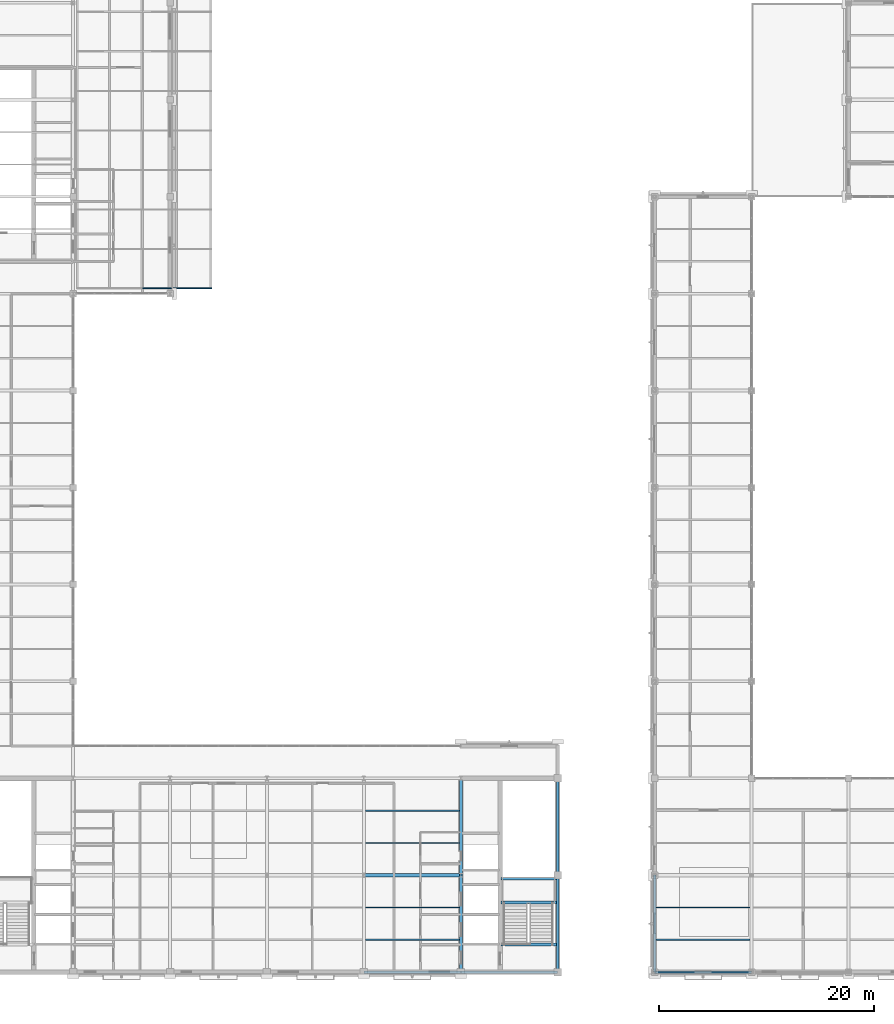
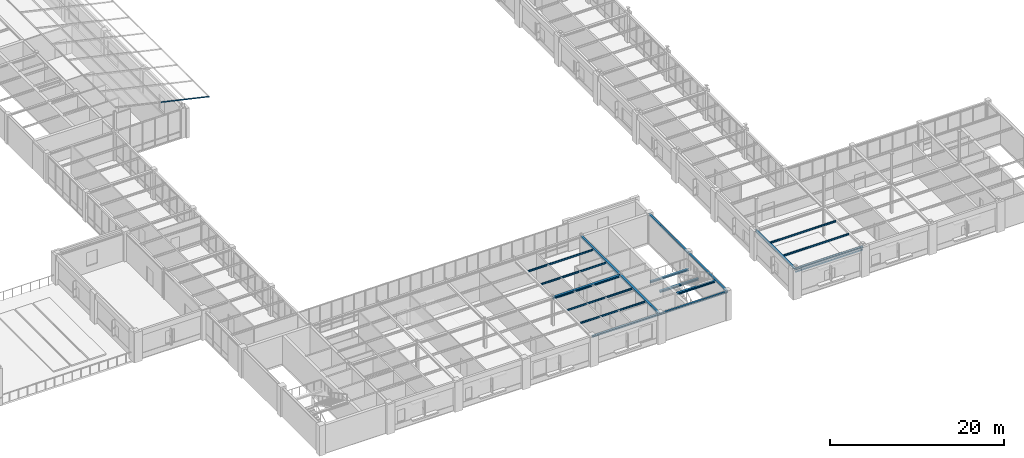
# One storey, part 37 of 97: 18 beams, 2 members, 1 element without a shape of its own.
"""IFC4 building model written with IfcOpenShell, lengths in metres."""

from ifc_helpers import new_model, si_unit, direction, frame, origin, origin_2d, place, context, subcontext, project, spatial, hollow_rectangle, i_section, extrude, material, material_profile, profile_set, type_object, element, aggregate, save


model = new_model("IFC4")

# Units and contexts
model_context = context("Model", 3, precision=1e-05, world=origin(), true_north=direction((0.0, 1.0)))
body_context = subcontext(model_context, "Body", "Model", "MODEL_VIEW")
ifc_project = project(units=[si_unit("LENGTHUNIT", "METRE"), si_unit("AREAUNIT", "SQUARE_METRE"), si_unit("VOLUMEUNIT", "CUBIC_METRE"), si_unit("PLANEANGLEUNIT", "RADIAN"), si_unit("MASSUNIT", "GRAM", prefix="KILO")], contexts=[model_context])

# Site, building, storey
site_placement = place(None, origin())
site = spatial("IfcSite", under=ifc_project, at=site_placement, CompositionType="ELEMENT")
building_placement = place(site_placement, origin())
building = spatial("IfcBuilding", under=site, at=building_placement, Name="Lykobir Media Centre", CompositionType="ELEMENT")
storey_placement = place(building_placement, frame((0.0, 0.0, 23.39990234375)))
storey = spatial("IfcBuildingStorey", under=building, at=storey_placement, Name="L05", CompositionType="ELEMENT", Elevation=23.39990234375)

# Beams
ifc_material_1 = material(Name="Steel S355", Category="steel")
ifc_material_profile_1 = material_profile(ifc_material_1, i_section(OverallWidth=0.280029296875, OverallDepth=0.27001953125, WebThickness=0.008056640625, FlangeThickness=0.012939453125, at=origin_2d()), Name="HEA 280")
ifc_profile_set_1 = profile_set([ifc_material_profile_1], Name="Steel S355")
beam_type_1 = type_object("IfcBeamType", Name="BM-HEA280", PredefinedType="BEAM", material=ifc_profile_set_1)
for number, where, z_axis, x_axis, name in (
    (1, (72.0, 0.0, 3.8251953125), (0.0, 1.0, 0.0), (-1.0, 0.0, 0.0), "Beam BM-L05-0720-0000-0720-0090-2722"),
    (2, (72.0, 9.0, 3.8251953125), (0.0, 1.0, 0.0), (-1.0, 0.0, 0.0), "Beam BM-L05-0720-0090-0720-0180-2722"),
):
    element("IfcBeam", number, at=place(storey_placement, frame(where, z_axis=z_axis, x_axis=x_axis)), inside=storey, type_object=beam_type_1, Name=name, PredefinedType="BEAM", context=body_context, shape_type="SweptSolid", body=[
        extrude(i_section(OverallWidth=0.280029296875, OverallDepth=0.27001953125, WebThickness=0.008056640625, FlangeThickness=0.012939453125, at=origin_2d()), origin(), (0.0, 0.0, 1.0), 9.0),
    ])
ifc_material_profile_2 = material_profile(ifc_material_1, i_section(OverallWidth=0.300048828125, OverallDepth=0.2900390625, WebThickness=0.008544921875, FlangeThickness=0.013916015625, at=origin_2d()), Name="HEA 300")
ifc_profile_set_2 = profile_set([ifc_material_profile_2], Name="Steel S355")
beam_type_2 = type_object("IfcBeamType", Name="BM-HEA300", PredefinedType="BEAM", material=ifc_profile_set_2)
beam_1_placement = place(storey_placement, frame((63.0, 9.0, 3.815185546875), z_axis=(1.0, 0.0, 0.0), x_axis=(0.0, 1.0, 0.0)))
element("IfcBeam", 3, at=beam_1_placement, inside=storey, type_object=beam_type_2, Name="Beam BM-L05-0630-0090-0720-0090-2722", PredefinedType="BEAM", context=body_context, shape_type="SweptSolid", body=[
    extrude(i_section(OverallWidth=0.300048828125, OverallDepth=0.2900390625, WebThickness=0.008544921875, FlangeThickness=0.013916015625, at=origin_2d()), origin(), (0.0, 0.0, 1.0), 9.0),
])
ifc_material_profile_3 = material_profile(ifc_material_1, i_section(OverallWidth=0.260009765625, OverallDepth=0.25, WebThickness=0.007568359375, FlangeThickness=0.012451171875, at=origin_2d()), Name="HEA 260")
ifc_profile_set_3 = profile_set([ifc_material_profile_3], Name="Steel S355")
beam_type_3 = type_object("IfcBeamType", Name="BM-ST260", PredefinedType="BEAM", material=ifc_profile_set_3)
beam_2_placement = place(storey_placement, frame((75.72998046875, 8.679931640625, 1.780029296875), z_axis=(1.0, 0.0, 0.0), x_axis=(0.0, 1.0, 0.0)))
element("IfcBeam", 4, at=beam_2_placement, inside=storey, type_object=beam_type_3, Name="ST-2 L05 half-landing support beam", PredefinedType="BEAM", context=body_context, shape_type="SweptSolid", body=[
    extrude(i_section(OverallWidth=0.260009765625, OverallDepth=0.25, WebThickness=0.007568359375, FlangeThickness=0.012451171875, at=origin_2d()), origin(), (0.0, 0.0, 1.0), 5.14013671875),
])
ifc_material_profile_4 = material_profile(ifc_material_1, i_section(OverallWidth=0.280029296875, OverallDepth=0.27001953125, WebThickness=0.008056640625, FlangeThickness=0.012939453125, at=origin_2d()), Name="HEA 280")
ifc_profile_set_4 = profile_set([ifc_material_profile_4], Name="Steel S355")
beam_type_4 = type_object("IfcBeamType", Name="BM-ST280", PredefinedType="BEAM", material=ifc_profile_set_4)
for number, where, z_axis, x_axis, name in (
    (5, (75.72998046875, 2.580078125, 3.8251953125), (1.0, 0.0, 0.0), (0.0, 1.0, 0.0), "ST-2 L05 arrival trimmer beam"),
    (6, (75.72998046875, 6.47998046875, 1.77001953125), (1.0, 0.0, 0.0), (0.0, 1.0, 0.0), "ST-2 L05 mid-landing trimmer beam"),
):
    element("IfcBeam", number, at=place(storey_placement, frame(where, z_axis=z_axis, x_axis=x_axis)), inside=storey, type_object=beam_type_4, Name=name, PredefinedType="BEAM", context=body_context, shape_type="SweptSolid", body=[
        extrude(i_section(OverallWidth=0.280029296875, OverallDepth=0.27001953125, WebThickness=0.008056640625, FlangeThickness=0.012939453125, at=origin_2d()), origin(), (0.0, 0.0, 1.0), 5.14013671875),
    ])

# Curtain wall, member
ifc_material_2 = material(Name="Anodized Aluminium AW-6060", Category="aluminium")
curtain_wall_type = type_object("IfcCurtainWallType", Name="CW-V6-SKY", PredefinedType="NOTDEFINED", material=ifc_material_2)
curtain_wall_placement = place(storey_placement, origin())
curtain_wall = element("IfcCurtainWall", 7, at=curtain_wall_placement, inside=storey, type_object=curtain_wall_type, Name="Curtain wall CW-V6-SKY06", PredefinedType="NOTDEFINED")
ifc_material_profile_5 = material_profile(ifc_material_2, hollow_rectangle(XDim=0.074951171875, YDim=0.14990234375, WallThickness=0.00341796875, at=origin_2d()), Name="ALU TRANSOM 75x150")
ifc_profile_set_5 = profile_set([ifc_material_profile_5], Name="Anodized Aluminium AW-6060")
member_type_1 = type_object("IfcMemberType", Name="CWT-150", PredefinedType="USERDEFINED", material=ifc_profile_set_5)
member_1_placement = place(storey_placement, frame((48.834716796875, 63.517578125, 3.9873046875), z_axis=(-0.975255318588, 0.0, 0.221081576721), x_axis=(0.0, -1.0, 0.0)))
member_1 = element("IfcMember", 8, at=member_1_placement, type_object=member_type_1, Name="CW-V6-SKY06 rafter transom 13", ObjectType="TRANSOM", PredefinedType="USERDEFINED", context=body_context, shape_type="SweptSolid", body=[
    extrude(hollow_rectangle(XDim=0.074951171875, YDim=0.14990234375, WallThickness=0.00341796875, at=origin_2d()), origin(), (0.0, 0.0, 1.0), 6.591552734375),
])
aggregate(curtain_wall, [member_1])

# Beams
ifc_material_profile_6 = material_profile(ifc_material_1, i_section(OverallWidth=0.1201171875, OverallDepth=0.239990234375, WebThickness=0.006103515625, FlangeThickness=0.009765625, at=origin_2d()), Name="IPE 240")
ifc_profile_set_6 = profile_set([ifc_material_profile_6], Name="Steel S355")
beam_type_5 = type_object("IfcBeamType", Name="JS-IPE240", PredefinedType="JOIST", material=ifc_profile_set_6)
for number, where, z_axis, x_axis, name in (
    (9, (63.139892578125, 3.0, 3.840087890625), (1.0, 0.0, 0.0), (0.0, 1.0, 0.0), "Beam BM-L05-0631-0030-0719-0030-2724"),
    (10, (63.139892578125, 6.0, 3.840087890625), (1.0, 0.0, 0.0), (0.0, 1.0, 0.0), "Beam BM-L05-0631-0060-0719-0060-2724"),
    (11, (63.139892578125, 12.0, 3.840087890625), (1.0, 0.0, 0.0), (0.0, 1.0, 0.0), "Beam BM-L05-0631-0120-0719-0120-2724"),
    (12, (63.139892578125, 15.0, 3.840087890625), (1.0, 0.0, 0.0), (0.0, 1.0, 0.0), "Beam BM-L05-0631-0150-0719-0150-2724"),
):
    element("IfcBeam", number, at=place(storey_placement, frame(where, z_axis=z_axis, x_axis=x_axis)), inside=storey, type_object=beam_type_5, Name=name, PredefinedType="JOIST", context=body_context, shape_type="SweptSolid", body=[
        extrude(i_section(OverallWidth=0.1201171875, OverallDepth=0.239990234375, WebThickness=0.006103515625, FlangeThickness=0.009765625, at=origin_2d()), origin(), (0.0, 0.0, 1.0), 8.72021484375),
    ])
for number, where, z_axis, x_axis, name in (
    (13, (90.1201171875, 3.0, 3.860107421875), (1.0, 0.0, 0.0), (0.0, 1.0, 0.0), "Beam BM-L05-0901-0030-0989-0030-2726"),
    (14, (90.1201171875, 6.0, 3.860107421875), (1.0, 0.0, 0.0), (0.0, 1.0, 0.0), "Beam BM-L05-0901-0060-0989-0060-2726"),
):
    element("IfcBeam", number, at=place(storey_placement, frame(where, z_axis=z_axis, x_axis=x_axis)), inside=storey, type_object=beam_type_5, Name=name, PredefinedType="JOIST", context=body_context, shape_type="SweptSolid", body=[
        extrude(i_section(OverallWidth=0.1201171875, OverallDepth=0.239990234375, WebThickness=0.006103515625, FlangeThickness=0.009765625, at=origin_2d()), origin(), (0.0, 0.0, 1.0), 8.739990234375),
    ])
ifc_material_profile_7 = material_profile(ifc_material_1, i_section(OverallWidth=0.239990234375, OverallDepth=0.22998046875, WebThickness=0.007568359375, FlangeThickness=0.011962890625, at=origin_2d()), Name="HEA 240")
ifc_profile_set_7 = profile_set([ifc_material_profile_7], Name="Steel S355")
beam_type_6 = type_object("IfcBeamType", Name="SP-HEA240-E", PredefinedType="SPANDREL", material=ifc_profile_set_7)
for number, where, z_axis, x_axis, name in (
    (15, (63.0, 0.0, 3.84521484375), (1.0, 0.0, 0.0), (0.0, 1.0, 0.0), "Beam BM-L05-0630-0000-0720-0000-2724"),
    (16, (72.0, 0.0, 3.84521484375), (1.0, 0.0, 0.0), (0.0, 1.0, 0.0), "Beam BM-L05-0720-0000-0810-0000-2724"),
    (17, (90.0, 0.0, 3.864990234375), (1.0, 0.0, 0.0), (0.0, 1.0, 0.0), "Beam BM-L05-0900-0000-0990-0000-2726"),
    (18, (81.0, 0.0, 3.84521484375), (0.0, 1.0, 0.0), (-1.0, 0.0, 0.0), "Beam BM-L05-0810-0000-0810-0090-2724"),
    (19, (81.0, 9.0, 3.84521484375), (0.0, 1.0, 0.0), (-1.0, 0.0, 0.0), "Beam BM-L05-0810-0090-0810-0180-2724"),
    (20, (90.0, 0.0, 3.864990234375), (0.0, 1.0, 0.0), (-1.0, 0.0, 0.0), "Beam BM-L05-0900-0000-0900-0090-2726"),
):
    element("IfcBeam", number, at=place(storey_placement, frame(where, z_axis=z_axis, x_axis=x_axis)), inside=storey, type_object=beam_type_6, Name=name, PredefinedType="SPANDREL", context=body_context, shape_type="SweptSolid", body=[
        extrude(i_section(OverallWidth=0.239990234375, OverallDepth=0.22998046875, WebThickness=0.007568359375, FlangeThickness=0.011962890625, at=origin_2d()), origin(), (0.0, 0.0, 1.0), 9.0),
    ])

# Member
ifc_material_profile_8 = material_profile(ifc_material_1, hollow_rectangle(XDim=0.10009765625, YDim=0.179931640625, WallThickness=0.008056640625, at=origin_2d()), Name="RHS 180x100x8")
ifc_profile_set_8 = profile_set([ifc_material_profile_8], Name="Steel S355")
member_type_2 = type_object("IfcMemberType", Name="TC-RHS180-E", PredefinedType="CHORD", material=ifc_profile_set_8)
member_2_placement = place(storey_placement, frame((90.0, 0.0, 3.4501953125), z_axis=(1.0, 0.0, 0.0), x_axis=(0.0, 1.0, 0.0)))
element("IfcMember", 21, at=member_2_placement, inside=storey, type_object=member_type_2, Name="Truss chord MEM2-L05-0900-0000-0268-0990-0000-0513", PredefinedType="CHORD", context=body_context, shape_type="SweptSolid", body=[
    extrude(hollow_rectangle(XDim=0.10009765625, YDim=0.179931640625, WallThickness=0.008056640625, at=origin_2d()), origin(), (0.0, 0.0, 1.0), 9.0),
])

save(model, "model.ifc")
